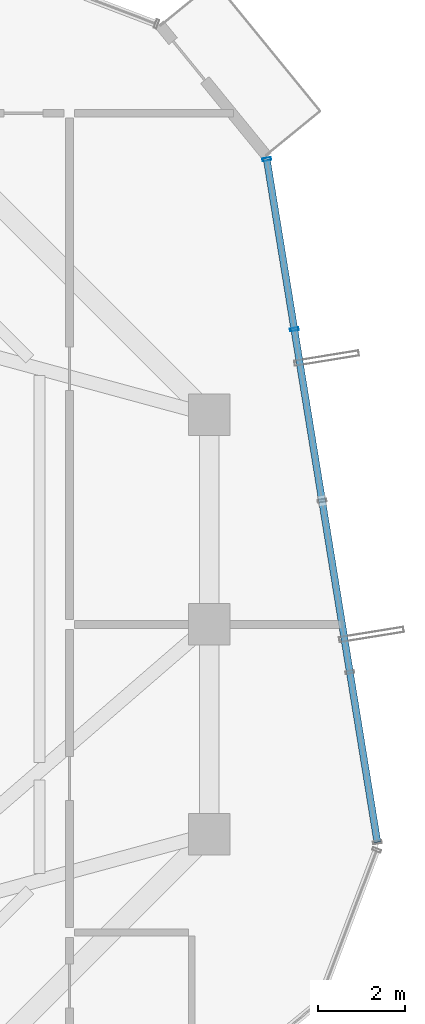
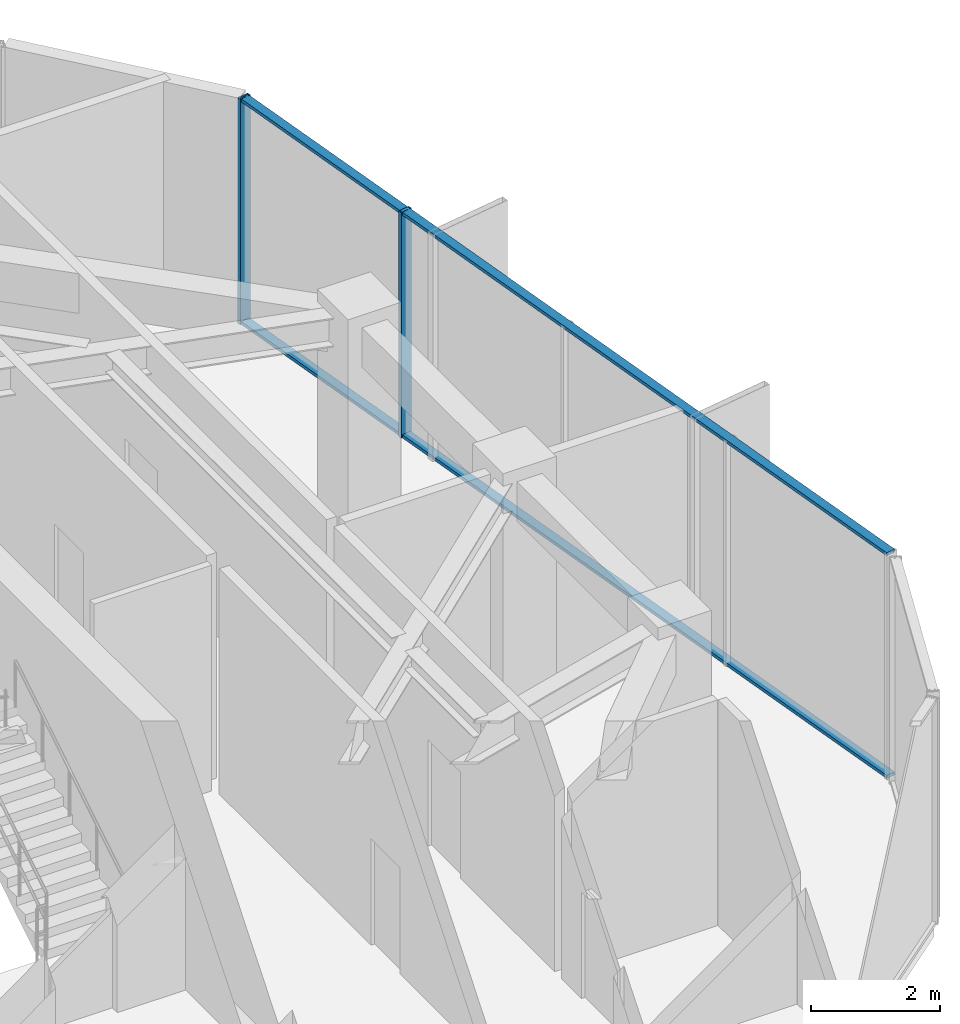
# One storey, part 13 of 22: 4 members, 1 element without a shape of its own.
"""IFC4 building model written with IfcOpenShell, lengths in metres."""

from ifc_helpers import new_model, si_unit, direction, frame, origin, origin_2d, place, context, subcontext, project, spatial, hollow_rectangle, extrude, source, transform, mapped, material, layer, layer_set, material_profile, profile_set, type_object, element, aggregate, save


model = new_model("IFC4")

# Units and contexts
model_context = context("Model", 3, precision=1e-05, world=origin(), true_north=direction((0.0, 1.0)))
body_context = subcontext(model_context, "Body", "Model", "MODEL_VIEW")
ifc_project = project(units=[si_unit("LENGTHUNIT", "METRE"), si_unit("AREAUNIT", "SQUARE_METRE"), si_unit("VOLUMEUNIT", "CUBIC_METRE"), si_unit("PLANEANGLEUNIT", "RADIAN"), si_unit("MASSUNIT", "GRAM", prefix="KILO")], contexts=[model_context])

# Site, building, storey
site_placement = place(None, origin())
site = spatial("IfcSite", under=ifc_project, at=site_placement, CompositionType="ELEMENT")
building_placement = place(site_placement, origin())
building = spatial("IfcBuilding", under=site, at=building_placement, Name="Veraguas Prism Commons", CompositionType="ELEMENT")
storey_placement = place(building_placement, frame((0.0, 0.0, 174.35009765625)))
storey = spatial("IfcBuildingStorey", under=building, at=storey_placement, Name="L49", CompositionType="ELEMENT", Elevation=174.35009765625)

# Curtain wall, members
ifc_material = material(Name="Anodised aluminium EN AW-6063 T6", Category="aluminium")
ifc_layer = layer(ifc_material, 0.199951171875, Name="Sky Lobby and Pool Acoustic Curtain Wall", Category="aluminium")
ifc_layer_set = layer_set([ifc_layer], Name="Anodised aluminium EN AW-6063 T6")
curtain_wall_type = type_object("IfcCurtainWallType", Name="Sky Lobby and Pool Acoustic Curtain Wall", PredefinedType="NOTDEFINED", material=ifc_layer_set)
curtain_wall_placement = place(storey_placement, origin())
curtain_wall = element("IfcCurtainWall", 1, at=curtain_wall_placement, inside=storey, type_object=curtain_wall_type, Name="Tower Facade Curtain Wall L49-F6", PredefinedType="NOTDEFINED")
ifc_material_profile_1 = material_profile(ifc_material, hollow_rectangle(XDim=0.06494140625, YDim=0.199951171875, WallThickness=0.00390625, at=origin_2d()), Name="AL65X200X4")
ifc_profile_set_1 = profile_set([ifc_material_profile_1], Name="Anodised aluminium EN AW-6063 T6")
member_type_1 = type_object("IfcMemberType", Name="Curtain Wall Mullion Heavy AL 65x200x4", PredefinedType="MULLION", material=ifc_profile_set_1)
shared_shape_1 = source(origin(), body_context, "Body", "SweptSolid", [
    extrude(hollow_rectangle(XDim=0.06494140625, YDim=0.199951171875, WallThickness=0.00390625, at=origin_2d()), origin(), (0.0, 0.0, 1.0), 4.264892578125),
])
member_1_placement = place(storey_placement, frame((40.8466796875, 30.756103515625, 0.0), z_axis=(0.0, 0.0, 1.0), x_axis=(-0.159874296177, 0.98713738123, 0.0)))
member_1 = element("IfcMember", 2, at=member_1_placement, type_object=member_type_1, Name="CW-SKY Mullion 4", PredefinedType="MULLION", context=body_context, shape_type="MappedRepresentation", body=[
    mapped(shared_shape_1, transform((0.0, 0.0, 0.0), scale=1.0)),
])
member_2_placement = place(storey_placement, frame((40.21630859375, 34.6484375, 0.0), z_axis=(0.0, 0.0, 1.0), x_axis=(-0.159874296177, 0.98713738123, 0.0)))
member_2 = element("IfcMember", 3, at=member_2_placement, type_object=member_type_1, Name="CW-SKY Mullion 5", PredefinedType="MULLION", context=body_context, shape_type="MappedRepresentation", body=[
    mapped(shared_shape_1, transform((0.0, 0.0, 0.0), scale=1.0)),
])
ifc_material_profile_2 = material_profile(ifc_material, hollow_rectangle(XDim=0.06005859375, YDim=0.159912109375, WallThickness=0.0029296875, at=origin_2d()), Name="AL60X160X3")
ifc_profile_set_2 = profile_set([ifc_material_profile_2], Name="Anodised aluminium EN AW-6063 T6")
member_type_2 = type_object("IfcMemberType", Name="Curtain Wall Transom Heavy AL 60x160x3", PredefinedType="USERDEFINED", material=ifc_profile_set_2)
shared_shape_2 = source(origin(), body_context, "Body", "SweptSolid", [
    extrude(hollow_rectangle(XDim=0.06005859375, YDim=0.159912109375, WallThickness=0.0029296875, at=origin_2d()), origin(), (0.0, 0.0, 1.0), 15.83740234375),
])
member_3_placement = place(storey_placement, frame((42.748291015625, 19.0146484375, 0.02978515625), z_axis=(-0.159872642853, 0.987137648997, 0.0), x_axis=(0.0, 0.0, 1.0)))
member_3 = element("IfcMember", 4, at=member_3_placement, type_object=member_type_2, Name="CW-SKY Transom 1", ObjectType="TRANSOM", PredefinedType="USERDEFINED", context=body_context, shape_type="MappedRepresentation", body=[
    mapped(shared_shape_2, transform((0.0, 0.0, 0.0), scale=1.0)),
])
member_4_placement = place(storey_placement, frame((42.748291015625, 19.0146484375, 4.23486328125), z_axis=(-0.159872642853, 0.987137648997, 0.0), x_axis=(0.0, 0.0, 1.0)))
member_4 = element("IfcMember", 5, at=member_4_placement, type_object=member_type_2, Name="CW-SKY Transom 2", ObjectType="TRANSOM", PredefinedType="USERDEFINED", context=body_context, shape_type="MappedRepresentation", body=[
    mapped(shared_shape_2, transform((0.0, 0.0, 0.0), scale=1.0)),
])
aggregate(curtain_wall, [member_1, member_2, member_3, member_4])

save(model, "model.ifc")
